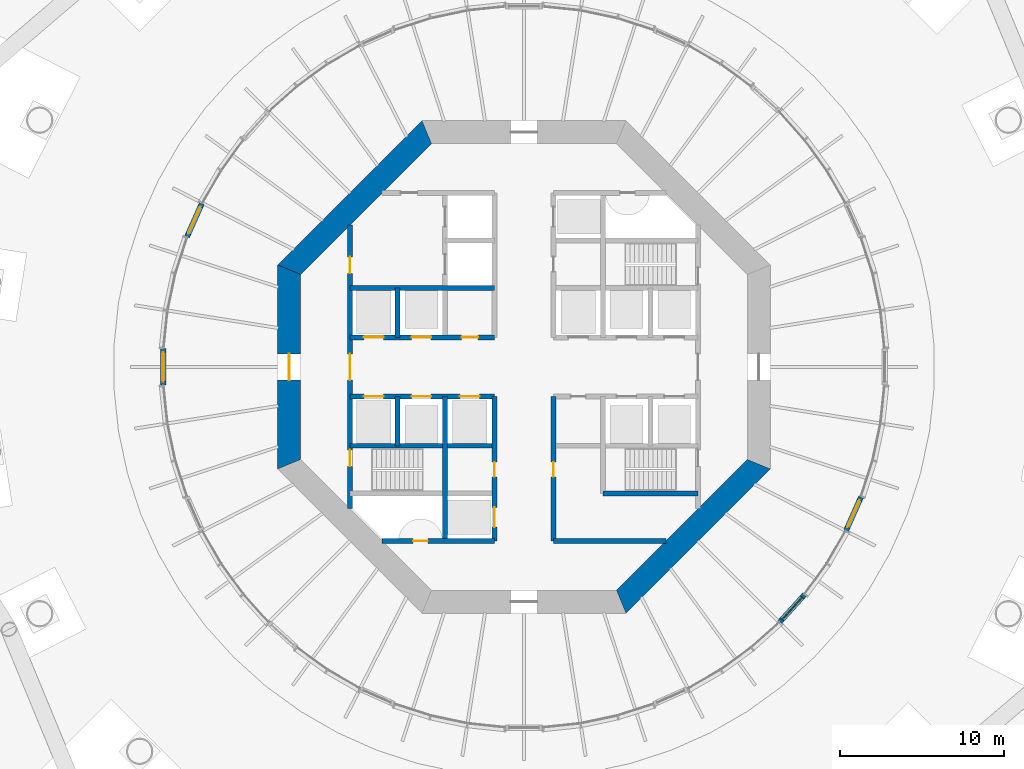
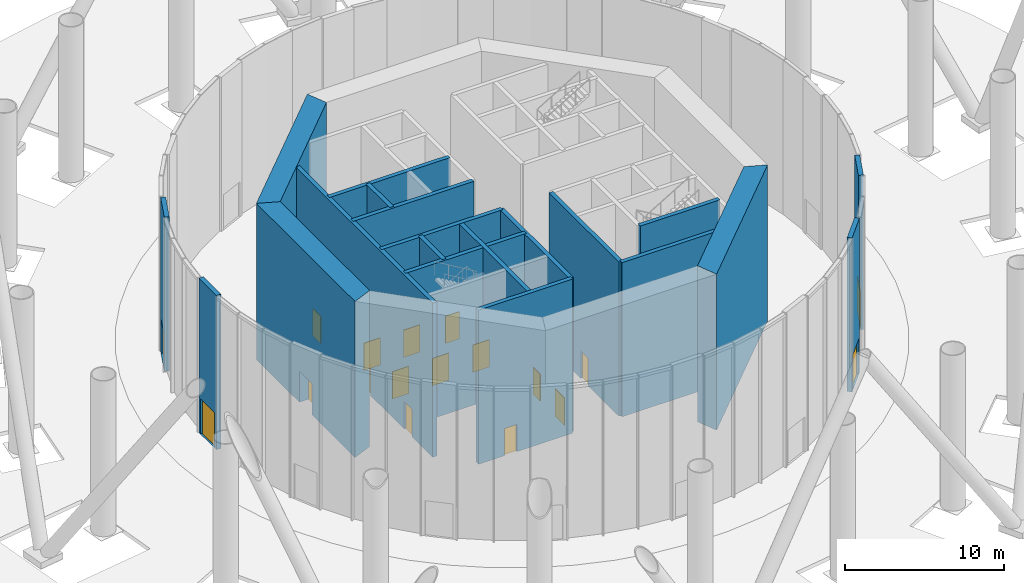
# One storey, part 4 of 12: 20 walls, 18 doors, 18 openings.
"""IFC4 building model written with IfcOpenShell, lengths in metres."""

from ifc_helpers import new_model, si_unit, direction, frame, frame_2d, origin, place, context, subcontext, project, spatial, polyline, rectangle, outline, extrude, material, layer, layer_set, type_object, element, fill, save


model = new_model("IFC4")

# Units and contexts
model_context = context("Model", 3, precision=1e-05, world=origin(), true_north=direction((0.0, 1.0)))
body_context = subcontext(model_context, "Body", "Model", "MODEL_VIEW")
ifc_project = project(units=[si_unit("LENGTHUNIT", "METRE"), si_unit("AREAUNIT", "SQUARE_METRE"), si_unit("VOLUMEUNIT", "CUBIC_METRE"), si_unit("PLANEANGLEUNIT", "RADIAN"), si_unit("MASSUNIT", "GRAM", prefix="KILO")], contexts=[model_context])

# Site, building, storey
site_placement = place(None, origin())
site = spatial("IfcSite", under=ifc_project, at=site_placement, CompositionType="ELEMENT")
building_placement = place(site_placement, origin())
building = spatial("IfcBuilding", under=site, at=building_placement, Name="Entoto Ring Tower", CompositionType="ELEMENT")
storey_placement = place(building_placement, origin())
storey = spatial("IfcBuildingStorey", under=building, at=storey_placement, Name="L00", CompositionType="ELEMENT", Elevation=0.0)

# Wall, opening, door
ifc_material_1 = material(Name="Concrete C40/50", Category="concrete")
ifc_layer_1 = layer(ifc_material_1, 0.300048828125)
ifc_layer_set_1 = layer_set([ifc_layer_1], Name="Concrete C40/50")
wall_type_1 = type_object("IfcWallType", Name="Core enclosure wall 300 mm reinforced concrete", PredefinedType="SOLIDWALL", material=ifc_layer_set_1)
wall_1_placement = place(storey_placement, frame((91.800048828125, 69.39990234375, 0.0), z_axis=(0.0, 0.0, 1.0), x_axis=(0.0, 1.0, 0.0)))
wall_1 = element("IfcWall", 1, at=wall_1_placement, inside=storey, type_object=wall_type_1, Name="wall-L00-006", PredefinedType="SOLIDWALL", context=body_context, shape_type="SweptSolid", body=[
    extrude(rectangle(XDim=8.800048828125, YDim=0.300048828125, at=frame_2d((4.39990234375, 0.0))), origin(), (0.0, 0.0, 1.0), 11.85009765625),
])
opening_1_placement = place(wall_1_placement, frame((3.89990234375, 0.0, 0.0)))
opening_1 = element("IfcOpeningElement", 2, at=opening_1_placement, cuts=wall_1, Name="Opening K-18", PredefinedType="OPENING", context=body_context, shape_type="SweptSolid", body=[
    extrude(rectangle(XDim=0.89990234375, YDim=2.10009765625, at=frame_2d((0.449951171875, 1.050048828125))), frame((0.0, 0.16015625, 0.0), z_axis=(0.0, -1.0, 0.0), x_axis=(1.0, 0.0, 0.0)), (0.0, 0.0, 1.0), 0.320068359375),
])
ifc_material_2 = material(Name="Steel door leaf, fire rated", Category="steel")
ifc_layer_2 = layer(ifc_material_2, 0.050048828125)
ifc_layer_set_2 = layer_set([ifc_layer_2], Name="Steel door leaf, fire rated")
door_type_1 = type_object("IfcDoorType", Name="Core door 900 x 2100 single leaf", OperationType="NOTDEFINED", PredefinedType="DOOR", material=ifc_layer_set_2)
door_1_placement = place(opening_1_placement, frame((0.89990234375, 0.0, 0.0), z_axis=(0.0, 0.0, 1.0), x_axis=(-1.0, 0.0, 0.0)))
door_1 = element("IfcDoor", 3, at=door_1_placement, inside=storey, type_object=door_type_1, Name="Door K-18", OperationType="SINGLE_SWING_LEFT", OverallHeight=2.10009765625, OverallWidth=0.89990234375, PredefinedType="DOOR", context=body_context, shape_type="SweptSolid", body=[
    extrude(rectangle(XDim=0.89990234375, YDim=2.10009765625, at=frame_2d((0.449951171875, 1.050048828125))), frame((0.0, 0.02490234375, 0.0), z_axis=(0.0, -1.0, 0.0), x_axis=(1.0, 0.0, 0.0)), (0.0, 0.0, 1.0), 0.050048828125),
])
fill(opening_1, door_1)

# Wall, openings, doors
wall_2_placement = place(storey_placement, frame((88.199951171875, 69.39990234375, 0.0), z_axis=(0.0, 0.0, 1.0), x_axis=(0.0, 1.0, 0.0)))
wall_2 = element("IfcWall", 4, at=wall_2_placement, inside=storey, type_object=wall_type_1, Name="wall-L00-008", PredefinedType="SOLIDWALL", context=body_context, shape_type="SweptSolid", body=[
    extrude(rectangle(XDim=8.800048828125, YDim=0.300048828125, at=frame_2d((4.39990234375, 0.0))), origin(), (0.0, 0.0, 1.0), 11.85009765625),
])
opening_2_placement = place(wall_2_placement, frame((0.85009765625, 0.0, 0.0)))
opening_2 = element("IfcOpeningElement", 5, at=opening_2_placement, cuts=wall_2, Name="Opening LD", PredefinedType="OPENING", context=body_context, shape_type="SweptSolid", body=[
    extrude(rectangle(XDim=1.199951171875, YDim=2.10009765625, at=frame_2d((0.60009765625, 1.050048828125))), frame((0.0, 0.16015625, 0.0), z_axis=(0.0, -1.0, 0.0), x_axis=(1.0, 0.0, 0.0)), (0.0, 0.0, 1.0), 0.320068359375),
])
opening_3_placement = place(wall_2_placement, frame((3.89990234375, 0.0, 0.0)))
opening_3 = element("IfcOpeningElement", 6, at=opening_3_placement, cuts=wall_2, Name="Opening K-19", PredefinedType="OPENING", context=body_context, shape_type="SweptSolid", body=[
    extrude(rectangle(XDim=0.89990234375, YDim=2.10009765625, at=frame_2d((0.449951171875, 1.050048828125))), frame((0.0, 0.16015625, 0.0), z_axis=(0.0, -1.0, 0.0), x_axis=(1.0, 0.0, 0.0)), (0.0, 0.0, 1.0), 0.320068359375),
])
door_2_placement = place(opening_3_placement, origin())
door_2 = element("IfcDoor", 7, at=door_2_placement, inside=storey, type_object=door_type_1, Name="Door K-19", OperationType="SINGLE_SWING_RIGHT", OverallHeight=2.10009765625, OverallWidth=0.89990234375, PredefinedType="DOOR", context=body_context, shape_type="SweptSolid", body=[
    extrude(rectangle(XDim=0.89990234375, YDim=2.10009765625, at=frame_2d((0.449951171875, 1.050048828125))), frame((0.0, 0.02490234375, 0.0), z_axis=(0.0, -1.0, 0.0), x_axis=(1.0, 0.0, 0.0)), (0.0, 0.0, 1.0), 0.050048828125),
])
fill(opening_3, door_2)
ifc_material_3 = material(Name="Steel and glass door leaf", Category="steel")
ifc_layer_3 = layer(ifc_material_3, 0.050048828125)
ifc_layer_set_3 = layer_set([ifc_layer_3], Name="Steel and glass door leaf")
door_type_2 = type_object("IfcDoorType", Name="Landing door 1200 x 2100 sliding", OperationType="DOUBLE_DOOR_SLIDING", PredefinedType="DOOR", material=ifc_layer_set_3)
door_3_placement = place(opening_2_placement, origin())
door_3 = element("IfcDoor", 8, at=door_3_placement, inside=storey, type_object=door_type_2, Name="Landing door SH4", OperationType="SLIDING_TO_RIGHT", OverallHeight=2.10009765625, OverallWidth=1.199951171875, PredefinedType="DOOR", context=body_context, shape_type="SweptSolid", body=[
    extrude(rectangle(XDim=1.199951171875, YDim=2.10009765625, at=frame_2d((0.60009765625, 1.050048828125))), frame((0.0, 0.02490234375, 0.0), z_axis=(0.0, -1.0, 0.0), x_axis=(1.0, 0.0, 0.0)), (0.0, 0.0, 1.0), 0.050048828125),
])
fill(opening_2, door_3)

# Walls
wall_3_placement = place(storey_placement, frame((85.199951171875, 69.39990234375, 0.0), z_axis=(0.0, 0.0, 1.0), x_axis=(0.0, 1.0, 0.0)))
element("IfcWall", 9, at=wall_3_placement, inside=storey, type_object=wall_type_1, Name="wall-L00-010", PredefinedType="SOLIDWALL", context=body_context, shape_type="SweptSolid", body=[
    extrude(rectangle(XDim=8.800048828125, YDim=0.300048828125, at=frame_2d((4.39990234375, 0.0))), origin(), (0.0, 0.0, 1.0), 11.85009765625),
])
for number, where, z_axis, x_axis, name in (
    (10, (82.300048828125, 75.199951171875, 0.0), (0.0, 0.0, 1.0), (0.0, 1.0, 0.0), "wall-L00-012"),
    (11, (82.300048828125, 81.800048828125, 0.0), (0.0, 0.0, 1.0), (0.0, 1.0, 0.0), "wall-L00-013"),
):
    element("IfcWall", number, at=place(storey_placement, frame(where, z_axis=z_axis, x_axis=x_axis)), inside=storey, type_object=wall_type_1, Name=name, PredefinedType="SOLIDWALL", context=body_context, shape_type="SweptSolid", body=[
        extrude(rectangle(XDim=3.0, YDim=0.300048828125, at=frame_2d((1.5, 0.0))), origin(), (0.0, 0.0, 1.0), 11.85009765625),
    ])

# Wall, openings, doors
wall_4_placement = place(storey_placement, frame((79.39990234375, 71.36669921875, 0.0), z_axis=(0.0, 0.0, 1.0), x_axis=(0.0, 1.0, 0.0)))
wall_4 = element("IfcWall", 12, at=wall_4_placement, inside=storey, type_object=wall_type_1, Name="wall-L00-014", PredefinedType="SOLIDWALL", context=body_context, shape_type="SweptSolid", body=[
    extrude(rectangle(XDim=17.2666015625, YDim=0.300048828125, at=frame_2d((8.63330078125, 0.0))), origin(), (0.0, 0.0, 1.0), 11.85009765625),
])
opening_4_placement = place(wall_4_placement, frame((2.583251953125, 0.0, 0.0)))
opening_4 = element("IfcOpeningElement", 13, at=opening_4_placement, cuts=wall_4, Name="Opening K-23", PredefinedType="OPENING", context=body_context, shape_type="SweptSolid", body=[
    extrude(rectangle(XDim=1.0, YDim=2.10009765625, at=frame_2d((0.5, 1.050048828125))), frame((0.0, 0.16015625, 0.0), z_axis=(0.0, -1.0, 0.0), x_axis=(1.0, 0.0, 0.0)), (0.0, 0.0, 1.0), 0.320068359375),
])
opening_5_placement = place(wall_4_placement, frame((14.333251953125, 0.0, 0.0)))
opening_5 = element("IfcOpeningElement", 14, at=opening_5_placement, cuts=wall_4, Name="Opening K-27", PredefinedType="OPENING", context=body_context, shape_type="SweptSolid", body=[
    extrude(rectangle(XDim=1.0, YDim=2.10009765625, at=frame_2d((0.5, 1.050048828125))), frame((0.0, 0.16015625, 0.0), z_axis=(0.0, -1.0, 0.0), x_axis=(1.0, 0.0, 0.0)), (0.0, 0.0, 1.0), 0.320068359375),
])
opening_6_placement = place(wall_4_placement, frame((7.833251953125, 0.0, 0.0)))
opening_6 = element("IfcOpeningElement", 15, at=opening_6_placement, cuts=wall_4, Name="Opening KV-02", PredefinedType="OPENING", context=body_context, shape_type="SweptSolid", body=[
    extrude(rectangle(XDim=1.60009765625, YDim=2.39990234375, at=frame_2d((0.800048828125, 1.199951171875))), frame((0.0, 0.16015625, 0.0), z_axis=(0.0, -1.0, 0.0), x_axis=(1.0, 0.0, 0.0)), (0.0, 0.0, 1.0), 0.320068359375),
])
ifc_material_4 = material(Name="Steel door leaf, fire rated", Category="steel")
ifc_layer_4 = layer(ifc_material_4, 0.050048828125)
ifc_layer_set_4 = layer_set([ifc_layer_4], Name="Steel door leaf, fire rated")
door_type_3 = type_object("IfcDoorType", Name="Entrance door FD60 1600 x 2400 double leaf", OperationType="DOUBLE_DOOR_SINGLE_SWING", PredefinedType="DOOR", material=ifc_layer_set_4)
door_4_placement = place(opening_6_placement, origin())
door_4 = element("IfcDoor", 16, at=door_4_placement, inside=storey, type_object=door_type_3, Name="Door KV-02", OperationType="DOUBLE_DOOR_SINGLE_SWING", OverallHeight=2.39990234375, OverallWidth=1.60009765625, PredefinedType="DOOR", context=body_context, shape_type="SweptSolid", body=[
    extrude(rectangle(XDim=1.60009765625, YDim=2.39990234375, at=frame_2d((0.800048828125, 1.199951171875))), frame((0.0, 0.02490234375, 0.0), z_axis=(0.0, -1.0, 0.0), x_axis=(1.0, 0.0, 0.0)), (0.0, 0.0, 1.0), 0.050048828125),
])
fill(opening_6, door_4)
ifc_material_5 = material(Name="Steel door leaf, fire rated", Category="steel")
ifc_layer_5 = layer(ifc_material_5, 0.050048828125)
ifc_layer_set_5 = layer_set([ifc_layer_5], Name="Steel door leaf, fire rated")
door_type_4 = type_object("IfcDoorType", Name="Fire door FD60 1000 x 2100 single leaf", OperationType="NOTDEFINED", PredefinedType="DOOR", material=ifc_layer_set_5)
door_5_placement = place(opening_4_placement, frame((1.0, 0.0, 0.0), z_axis=(0.0, 0.0, 1.0), x_axis=(-1.0, 0.0, 0.0)))
door_5 = element("IfcDoor", 17, at=door_5_placement, inside=storey, type_object=door_type_4, Name="Door K-23", OperationType="SINGLE_SWING_LEFT", OverallHeight=2.10009765625, OverallWidth=1.0, PredefinedType="DOOR", context=body_context, shape_type="SweptSolid", body=[
    extrude(rectangle(XDim=1.0, YDim=2.10009765625, at=frame_2d((0.5, 1.050048828125))), frame((0.0, 0.02490234375, 0.0), z_axis=(0.0, -1.0, 0.0), x_axis=(1.0, 0.0, 0.0)), (0.0, 0.0, 1.0), 0.050048828125),
])
fill(opening_4, door_5)
door_6_placement = place(opening_5_placement, origin())
door_6 = element("IfcDoor", 18, at=door_6_placement, inside=storey, type_object=door_type_4, Name="Door K-27", OperationType="SINGLE_SWING_RIGHT", OverallHeight=2.10009765625, OverallWidth=1.0, PredefinedType="DOOR", context=body_context, shape_type="SweptSolid", body=[
    extrude(rectangle(XDim=1.0, YDim=2.10009765625, at=frame_2d((0.5, 1.050048828125))), frame((0.0, 0.02490234375, 0.0), z_axis=(0.0, -1.0, 0.0), x_axis=(1.0, 0.0, 0.0)), (0.0, 0.0, 1.0), 0.050048828125),
])
fill(opening_5, door_6)

# Wall, opening, door
wall_5_placement = place(storey_placement, frame((81.36669921875, 69.39990234375, 0.0), z_axis=(0.0, 0.0, 1.0), x_axis=(1.0, 0.0, 0.0)))
wall_5 = element("IfcWall", 19, at=wall_5_placement, inside=storey, type_object=wall_type_1, Name="wall-L00-015", PredefinedType="SOLIDWALL", context=body_context, shape_type="SweptSolid", body=[
    extrude(rectangle(XDim=6.833251953125, YDim=0.300048828125, at=frame_2d((3.41650390625, 0.0))), origin(), (0.0, 0.0, 1.0), 11.85009765625),
])
opening_7_placement = place(wall_5_placement, frame((1.88330078125, 0.0, 0.0)))
opening_7 = element("IfcOpeningElement", 20, at=opening_7_placement, cuts=wall_5, Name="Opening K-78", PredefinedType="OPENING", context=body_context, shape_type="SweptSolid", body=[
    extrude(rectangle(XDim=0.89990234375, YDim=2.10009765625, at=frame_2d((0.449951171875, 1.050048828125))), frame((0.0, 0.16015625, 0.0), z_axis=(0.0, -1.0, 0.0), x_axis=(1.0, 0.0, 0.0)), (0.0, 0.0, 1.0), 0.320068359375),
])
ifc_material_6 = material(Name="Steel door leaf, fire rated", Category="steel")
ifc_layer_6 = layer(ifc_material_6, 0.050048828125)
ifc_layer_set_6 = layer_set([ifc_layer_6], Name="Steel door leaf, fire rated")
door_type_5 = type_object("IfcDoorType", Name="Riser door FD60 900 x 2100 single leaf", OperationType="NOTDEFINED", PredefinedType="DOOR", material=ifc_layer_set_6)
door_7_placement = place(opening_7_placement, origin())
door_7 = element("IfcDoor", 21, at=door_7_placement, inside=storey, type_object=door_type_5, Name="Door K-78", OperationType="SINGLE_SWING_RIGHT", OverallHeight=2.10009765625, OverallWidth=0.89990234375, PredefinedType="DOOR", context=body_context, shape_type="SweptSolid", body=[
    extrude(rectangle(XDim=0.89990234375, YDim=2.10009765625, at=frame_2d((0.449951171875, 1.050048828125))), frame((0.0, 0.02490234375, 0.0), z_axis=(0.0, -1.0, 0.0), x_axis=(1.0, 0.0, 0.0)), (0.0, 0.0, 1.0), 0.050048828125),
])
fill(opening_7, door_7)

# Walls
wall_6_placement = place(storey_placement, frame((91.800048828125, 69.39990234375, 0.0), z_axis=(0.0, 0.0, 1.0), x_axis=(1.0, 0.0, 0.0)))
element("IfcWall", 22, at=wall_6_placement, inside=storey, type_object=wall_type_1, Name="wall-L00-016", PredefinedType="SOLIDWALL", context=body_context, shape_type="SweptSolid", body=[
    extrude(rectangle(XDim=6.833251953125, YDim=0.300048828125, at=frame_2d((3.41650390625, 0.0))), origin(), (0.0, 0.0, 1.0), 11.85009765625),
])
wall_7_placement = place(storey_placement, frame((94.800048828125, 72.300048828125, 0.0), z_axis=(0.0, 0.0, 1.0), x_axis=(1.0, 0.0, 0.0)))
element("IfcWall", 23, at=wall_7_placement, inside=storey, type_object=wall_type_1, Name="wall-L00-018", PredefinedType="SOLIDWALL", context=body_context, shape_type="SweptSolid", body=[
    extrude(rectangle(XDim=5.800048828125, YDim=0.300048828125, at=frame_2d((2.89990234375, 0.0))), origin(), (0.0, 0.0, 1.0), 11.85009765625),
])
wall_8_placement = place(storey_placement, frame((79.39990234375, 75.199951171875, 0.0), z_axis=(0.0, 0.0, 1.0), x_axis=(1.0, 0.0, 0.0)))
element("IfcWall", 24, at=wall_8_placement, inside=storey, type_object=wall_type_1, Name="wall-L00-019", PredefinedType="SOLIDWALL", context=body_context, shape_type="SweptSolid", body=[
    extrude(rectangle(XDim=8.800048828125, YDim=0.300048828125, at=frame_2d((4.39990234375, 0.0))), origin(), (0.0, 0.0, 1.0), 11.85009765625),
])

# Wall, openings, doors
wall_9_placement = place(storey_placement, frame((79.39990234375, 78.199951171875, 0.0), z_axis=(0.0, 0.0, 1.0), x_axis=(1.0, 0.0, 0.0)))
wall_9 = element("IfcWall", 25, at=wall_9_placement, inside=storey, type_object=wall_type_1, Name="wall-L00-021", PredefinedType="SOLIDWALL", context=body_context, shape_type="SweptSolid", body=[
    extrude(rectangle(XDim=8.800048828125, YDim=0.300048828125, at=frame_2d((4.39990234375, 0.0))), origin(), (0.0, 0.0, 1.0), 11.85009765625),
])
opening_8_placement = place(wall_9_placement, frame((3.75, 0.0, 0.0)))
opening_8 = element("IfcOpeningElement", 26, at=opening_8_placement, cuts=wall_9, Name="Opening LD", PredefinedType="OPENING", context=body_context, shape_type="SweptSolid", body=[
    extrude(rectangle(XDim=1.199951171875, YDim=2.10009765625, at=frame_2d((0.60009765625, 1.050048828125))), frame((0.0, 0.16015625, 0.0), z_axis=(0.0, -1.0, 0.0), x_axis=(1.0, 0.0, 0.0)), (0.0, 0.0, 1.0), 0.320068359375),
])
opening_9_placement = place(wall_9_placement, frame((0.85009765625, 0.0, 0.0)))
opening_9 = element("IfcOpeningElement", 27, at=opening_9_placement, cuts=wall_9, Name="Opening LD", PredefinedType="OPENING", context=body_context, shape_type="SweptSolid", body=[
    extrude(rectangle(XDim=1.199951171875, YDim=2.10009765625, at=frame_2d((0.60009765625, 1.050048828125))), frame((0.0, 0.16015625, 0.0), z_axis=(0.0, -1.0, 0.0), x_axis=(1.0, 0.0, 0.0)), (0.0, 0.0, 1.0), 0.320068359375),
])
opening_10_placement = place(wall_9_placement, frame((6.699951171875, 0.0, 0.0)))
opening_10 = element("IfcOpeningElement", 28, at=opening_10_placement, cuts=wall_9, Name="Opening LD", PredefinedType="OPENING", context=body_context, shape_type="SweptSolid", body=[
    extrude(rectangle(XDim=1.199951171875, YDim=2.10009765625, at=frame_2d((0.60009765625, 1.050048828125))), frame((0.0, 0.16015625, 0.0), z_axis=(0.0, -1.0, 0.0), x_axis=(1.0, 0.0, 0.0)), (0.0, 0.0, 1.0), 0.320068359375),
])
door_8_placement = place(opening_8_placement, origin())
door_8 = element("IfcDoor", 29, at=door_8_placement, inside=storey, type_object=door_type_2, Name="Landing door LB6-LR", OperationType="SLIDING_TO_RIGHT", OverallHeight=2.10009765625, OverallWidth=1.199951171875, PredefinedType="DOOR", context=body_context, shape_type="SweptSolid", body=[
    extrude(rectangle(XDim=1.199951171875, YDim=2.10009765625, at=frame_2d((0.60009765625, 1.050048828125))), frame((0.0, 0.02490234375, 0.0), z_axis=(0.0, -1.0, 0.0), x_axis=(1.0, 0.0, 0.0)), (0.0, 0.0, 1.0), 0.050048828125),
])
fill(opening_8, door_8)
door_9_placement = place(opening_9_placement, origin())
door_9 = element("IfcDoor", 30, at=door_9_placement, inside=storey, type_object=door_type_2, Name="Landing door SH2", OperationType="SLIDING_TO_RIGHT", OverallHeight=2.10009765625, OverallWidth=1.199951171875, PredefinedType="DOOR", context=body_context, shape_type="SweptSolid", body=[
    extrude(rectangle(XDim=1.199951171875, YDim=2.10009765625, at=frame_2d((0.60009765625, 1.050048828125))), frame((0.0, 0.02490234375, 0.0), z_axis=(0.0, -1.0, 0.0), x_axis=(1.0, 0.0, 0.0)), (0.0, 0.0, 1.0), 0.050048828125),
])
fill(opening_9, door_9)
door_10_placement = place(opening_10_placement, origin())
door_10 = element("IfcDoor", 31, at=door_10_placement, inside=storey, type_object=door_type_2, Name="Landing door OB2", OperationType="SLIDING_TO_LEFT", OverallHeight=2.10009765625, OverallWidth=1.199951171875, PredefinedType="DOOR", context=body_context, shape_type="SweptSolid", body=[
    extrude(rectangle(XDim=1.199951171875, YDim=2.10009765625, at=frame_2d((0.60009765625, 1.050048828125))), frame((0.0, 0.02490234375, 0.0), z_axis=(0.0, -1.0, 0.0), x_axis=(1.0, 0.0, 0.0)), (0.0, 0.0, 1.0), 0.050048828125),
])
fill(opening_10, door_10)

wall_10_placement = place(storey_placement, frame((79.39990234375, 81.800048828125, 0.0), z_axis=(0.0, 0.0, 1.0), x_axis=(1.0, 0.0, 0.0)))
wall_10 = element("IfcWall", 32, at=wall_10_placement, inside=storey, type_object=wall_type_1, Name="wall-L00-023", PredefinedType="SOLIDWALL", context=body_context, shape_type="SweptSolid", body=[
    extrude(rectangle(XDim=8.800048828125, YDim=0.300048828125, at=frame_2d((4.39990234375, 0.0))), origin(), (0.0, 0.0, 1.0), 11.85009765625),
])
opening_11_placement = place(wall_10_placement, frame((3.75, 0.0, 0.0)))
opening_11 = element("IfcOpeningElement", 33, at=opening_11_placement, cuts=wall_10, Name="Opening LD", PredefinedType="OPENING", context=body_context, shape_type="SweptSolid", body=[
    extrude(rectangle(XDim=1.199951171875, YDim=2.10009765625, at=frame_2d((0.60009765625, 1.050048828125))), frame((0.0, 0.16015625, 0.0), z_axis=(0.0, -1.0, 0.0), x_axis=(1.0, 0.0, 0.0)), (0.0, 0.0, 1.0), 0.320068359375),
])
opening_12_placement = place(wall_10_placement, frame((0.85009765625, 0.0, 0.0)))
opening_12 = element("IfcOpeningElement", 34, at=opening_12_placement, cuts=wall_10, Name="Opening LD", PredefinedType="OPENING", context=body_context, shape_type="SweptSolid", body=[
    extrude(rectangle(XDim=1.199951171875, YDim=2.10009765625, at=frame_2d((0.60009765625, 1.050048828125))), frame((0.0, 0.16015625, 0.0), z_axis=(0.0, -1.0, 0.0), x_axis=(1.0, 0.0, 0.0)), (0.0, 0.0, 1.0), 0.320068359375),
])
opening_13_placement = place(wall_10_placement, frame((6.800048828125, 0.0, 0.0)))
opening_13 = element("IfcOpeningElement", 35, at=opening_13_placement, cuts=wall_10, Name="Opening K-64", PredefinedType="OPENING", context=body_context, shape_type="SweptSolid", body=[
    extrude(rectangle(XDim=1.0, YDim=2.10009765625, at=frame_2d((0.5, 1.050048828125))), frame((0.0, 0.16015625, 0.0), z_axis=(0.0, -1.0, 0.0), x_axis=(1.0, 0.0, 0.0)), (0.0, 0.0, 1.0), 0.320068359375),
])
ifc_material_7 = material(Name="Steel door leaf, fire rated", Category="steel")
ifc_layer_7 = layer(ifc_material_7, 0.050048828125)
ifc_layer_set_7 = layer_set([ifc_layer_7], Name="Steel door leaf, fire rated")
door_type_6 = type_object("IfcDoorType", Name="Accessible door 1000 x 2100 single leaf", OperationType="NOTDEFINED", PredefinedType="DOOR", material=ifc_layer_set_7)
door_11_placement = place(opening_13_placement, origin())
door_11 = element("IfcDoor", 36, at=door_11_placement, inside=storey, type_object=door_type_6, Name="Door K-64", OperationType="SINGLE_SWING_LEFT", OverallHeight=2.10009765625, OverallWidth=1.0, PredefinedType="DOOR", context=body_context, shape_type="SweptSolid", body=[
    extrude(rectangle(XDim=1.0, YDim=2.10009765625, at=frame_2d((0.5, 1.050048828125))), frame((0.0, 0.02490234375, 0.0), z_axis=(0.0, -1.0, 0.0), x_axis=(1.0, 0.0, 0.0)), (0.0, 0.0, 1.0), 0.050048828125),
])
fill(opening_13, door_11)
door_12_placement = place(opening_11_placement, origin())
door_12 = element("IfcDoor", 37, at=door_12_placement, inside=storey, type_object=door_type_2, Name="Landing door LB3-LR", OperationType="SLIDING_TO_RIGHT", OverallHeight=2.10009765625, OverallWidth=1.199951171875, PredefinedType="DOOR", context=body_context, shape_type="SweptSolid", body=[
    extrude(rectangle(XDim=1.199951171875, YDim=2.10009765625, at=frame_2d((0.60009765625, 1.050048828125))), frame((0.0, 0.02490234375, 0.0), z_axis=(0.0, -1.0, 0.0), x_axis=(1.0, 0.0, 0.0)), (0.0, 0.0, 1.0), 0.050048828125),
])
fill(opening_11, door_12)
door_13_placement = place(opening_12_placement, origin())
door_13 = element("IfcDoor", 38, at=door_13_placement, inside=storey, type_object=door_type_2, Name="Landing door SH1", OperationType="SLIDING_TO_RIGHT", OverallHeight=2.10009765625, OverallWidth=1.199951171875, PredefinedType="DOOR", context=body_context, shape_type="SweptSolid", body=[
    extrude(rectangle(XDim=1.199951171875, YDim=2.10009765625, at=frame_2d((0.60009765625, 1.050048828125))), frame((0.0, 0.02490234375, 0.0), z_axis=(0.0, -1.0, 0.0), x_axis=(1.0, 0.0, 0.0)), (0.0, 0.0, 1.0), 0.050048828125),
])
fill(opening_12, door_13)

# Walls
wall_11_placement = place(storey_placement, frame((79.39990234375, 84.800048828125, 0.0), z_axis=(0.0, 0.0, 1.0), x_axis=(1.0, 0.0, 0.0)))
element("IfcWall", 39, at=wall_11_placement, inside=storey, type_object=wall_type_1, Name="wall-L00-025", PredefinedType="SOLIDWALL", context=body_context, shape_type="SweptSolid", body=[
    extrude(rectangle(XDim=8.800048828125, YDim=0.300048828125, at=frame_2d((4.39990234375, 0.0))), origin(), (0.0, 0.0, 1.0), 11.85009765625),
])
ifc_material_8 = material(Name="Concrete C60/75", Category="concrete")
ifc_layer_8 = layer(ifc_material_8, 1.39990234375)
ifc_layer_set_8 = layer_set([ifc_layer_8], Name="Concrete C60/75")
wall_type_2 = type_object("IfcWallType", Name="Core shear wall 1400 mm reinforced concrete C60/75", PredefinedType="SHEAR", material=ifc_layer_set_8)
wall_12_placement = place(storey_placement, frame((84.07666015625, 94.300048828125, 0.0), z_axis=(0.0, 0.0, 1.0), x_axis=(-0.707106781187, -0.707106781187, 0.0)))
element("IfcWall", 40, at=wall_12_placement, inside=storey, type_object=wall_type_2, Name="wall-L00-core-3", PredefinedType="SHEAR", context=body_context, shape_type="SweptSolid", body=[
    extrude(outline(polyline([(-0.2900390625, -0.699951171875), (12.136474609375, -0.699951171875), (11.556396484375, 0.699951171875), (0.2900390625, 0.699951171875), (-0.2900390625, -0.699951171875)])), origin(), (0.0, 0.0, 1.0), 12.0),
])

# Wall, opening, door
wall_13_placement = place(storey_placement, frame((75.699951171875, 85.92333984375, 0.0), z_axis=(0.0, 0.0, 1.0), x_axis=(0.0, -1.0, 0.0)))
wall_13 = element("IfcWall", 41, at=wall_13_placement, inside=storey, type_object=wall_type_2, Name="wall-L00-core-4", PredefinedType="SHEAR", context=body_context, shape_type="SweptSolid", body=[
    extrude(outline(polyline([(-0.2900390625, -0.699951171875), (12.13671875, -0.699951171875), (11.556640625, 0.699951171875), (0.2900390625, 0.699951171875), (-0.2900390625, -0.699951171875)])), origin(), (0.0, 0.0, 1.0), 12.0),
])
opening_14_placement = place(wall_13_placement, frame((5.123291015625, 0.0, 0.0)))
opening_14 = element("IfcOpeningElement", 42, at=opening_14_placement, cuts=wall_13, Name="Opening K-03", PredefinedType="OPENING", context=body_context, shape_type="SweptSolid", body=[
    extrude(rectangle(XDim=1.60009765625, YDim=2.39990234375, at=frame_2d((0.800048828125, 1.199951171875))), frame((0.0, 0.7099609375, 0.0), z_axis=(0.0, -1.0, 0.0), x_axis=(1.0, 0.0, 0.0)), (0.0, 0.0, 1.0), 1.419921875),
])
door_14_placement = place(opening_14_placement, frame((1.60009765625, 0.0, 0.0), z_axis=(0.0, 0.0, 1.0), x_axis=(-1.0, 0.0, 0.0)))
door_14 = element("IfcDoor", 43, at=door_14_placement, inside=storey, type_object=door_type_3, Name="Entrance door K-03", OperationType="DOUBLE_DOOR_SINGLE_SWING", OverallHeight=2.39990234375, OverallWidth=1.60009765625, PredefinedType="DOOR", context=body_context, shape_type="SweptSolid", body=[
    extrude(rectangle(XDim=1.60009765625, YDim=2.39990234375, at=frame_2d((0.800048828125, 1.199951171875))), frame((0.0, 0.02490234375, 0.0), z_axis=(0.0, -1.0, 0.0), x_axis=(1.0, 0.0, 0.0)), (0.0, 0.0, 1.0), 0.050048828125),
])
fill(opening_14, door_14)

# Wall
wall_14_placement = place(storey_placement, frame((95.92333984375, 65.699951171875, 0.0), z_axis=(0.0, 0.0, 1.0), x_axis=(0.707106781187, 0.707106781187, 0.0)))
element("IfcWall", 44, at=wall_14_placement, inside=storey, type_object=wall_type_2, Name="wall-L00-core-7", PredefinedType="SHEAR", context=body_context, shape_type="SweptSolid", body=[
    extrude(outline(polyline([(-0.2900390625, -0.699951171875), (12.136474609375, -0.699951171875), (11.556396484375, 0.699951171875), (0.2900390625, 0.699951171875), (-0.2900390625, -0.699951171875)])), origin(), (0.0, 0.0, 1.0), 12.0),
])

# Wall, opening, door
ifc_material_9 = material(Name="Trachyte stone cladding", Category="masonry")
ifc_layer_9 = layer(ifc_material_9, 0.06005859375)
ifc_material_10 = material(Name="Concrete C40/50", Category="concrete")
ifc_layer_10 = layer(ifc_material_10, 0.260009765625)
ifc_layer_set_9 = layer_set([ifc_layer_9, ifc_layer_10], Name="Trachyte stone cladding")
wall_type_3 = type_object("IfcWallType", Name="Entrance pier 320 mm trachyte-clad", PredefinedType="STANDARD", material=ifc_layer_set_9)
wall_15_placement = place(storey_placement, frame((70.381591796875, 89.951171875, 0.0), z_axis=(0.0, 0.0, 1.0), x_axis=(-0.406739670382, -0.913544109793, 0.0)))
wall_15 = element("IfcWall", 45, at=wall_15_placement, inside=storey, type_object=wall_type_3, Name="ENTRANCE PIER 7", PredefinedType="STANDARD", context=body_context, shape_type="SweptSolid", body=[
    extrude(rectangle(XDim=2.22265625, YDim=0.320068359375, at=frame_2d((1.111328125, 0.0))), origin(), (0.0, 0.0, 1.0), 11.85009765625),
])
opening_15_placement = place(wall_15_placement, frame((0.21142578125, 0.0, 0.0)))
opening_15 = element("IfcOpeningElement", 46, at=opening_15_placement, cuts=wall_15, Name="Opening E7", PredefinedType="OPENING", context=body_context, shape_type="SweptSolid", body=[
    extrude(rectangle(XDim=1.800048828125, YDim=2.699951171875, at=frame_2d((0.89990234375, 1.35009765625))), frame((0.0, 0.169921875, 0.0), z_axis=(0.0, -1.0, 0.0), x_axis=(1.0, 0.0, 0.0)), (0.0, 0.0, 1.0), 0.340087890625),
])
ifc_material_11 = material(Name="Anodised aluminium frame with toughened clear glass", Category="aluminium")
door_type_7 = type_object("IfcDoorType", Name="Entrance door set 1800 x 2700 mm sliding", OperationType="DOUBLE_DOOR_SLIDING", PredefinedType="DOOR", material=ifc_material_11)
door_15_placement = place(opening_15_placement, frame((1.800048828125, 0.0, 0.0), z_axis=(0.0, 0.0, 1.0), x_axis=(-1.0, 0.0, 0.0)))
door_15 = element("IfcDoor", 47, at=door_15_placement, inside=storey, type_object=door_type_7, Name="ENTRANCE DOOR 7", OperationType="DOUBLE_DOOR_SLIDING", OverallHeight=2.699951171875, OverallWidth=1.800048828125, PredefinedType="DOOR", context=body_context, shape_type="SweptSolid", body=[
    extrude(rectangle(XDim=1.800048828125, YDim=2.699951171875, at=frame_2d((0.89990234375, 1.35009765625))), frame((0.0, 0.02490234375, 0.0), z_axis=(0.0, -1.0, 0.0), x_axis=(1.0, 0.0, 0.0)), (0.0, 0.0, 1.0), 0.050048828125),
])
fill(opening_15, door_15)

wall_16_placement = place(storey_placement, frame((68.030029296875, 81.111328125, 0.0), z_axis=(0.0, 0.0, 1.0), x_axis=(0.0, -1.0, 0.0)))
wall_16 = element("IfcWall", 48, at=wall_16_placement, inside=storey, type_object=wall_type_3, Name="ENTRANCE PIER 8", PredefinedType="STANDARD", context=body_context, shape_type="SweptSolid", body=[
    extrude(rectangle(XDim=2.22265625, YDim=0.320068359375, at=frame_2d((1.111328125, 0.0))), origin(), (0.0, 0.0, 1.0), 11.85009765625),
])
opening_16_placement = place(wall_16_placement, frame((0.21142578125, 0.0, 0.0)))
opening_16 = element("IfcOpeningElement", 49, at=opening_16_placement, cuts=wall_16, Name="Opening E8", PredefinedType="OPENING", context=body_context, shape_type="SweptSolid", body=[
    extrude(rectangle(XDim=1.800048828125, YDim=2.699951171875, at=frame_2d((0.89990234375, 1.35009765625))), frame((0.0, 0.169921875, 0.0), z_axis=(0.0, -1.0, 0.0), x_axis=(1.0, 0.0, 0.0)), (0.0, 0.0, 1.0), 0.340087890625),
])
door_16_placement = place(opening_16_placement, frame((1.800048828125, 0.0, 0.0), z_axis=(0.0, 0.0, 1.0), x_axis=(-1.0, 0.0, 0.0)))
door_16 = element("IfcDoor", 50, at=door_16_placement, inside=storey, type_object=door_type_7, Name="ENTRANCE DOOR 8", OperationType="DOUBLE_DOOR_SLIDING", OverallHeight=2.699951171875, OverallWidth=1.800048828125, PredefinedType="DOOR", context=body_context, shape_type="SweptSolid", body=[
    extrude(rectangle(XDim=1.800048828125, YDim=2.699951171875, at=frame_2d((0.89990234375, 1.35009765625))), frame((0.0, 0.02490234375, 0.0), z_axis=(0.0, -1.0, 0.0), x_axis=(1.0, 0.0, 0.0)), (0.0, 0.0, 1.0), 0.050048828125),
])
fill(opening_16, door_16)

wall_17_placement = place(storey_placement, frame((105.5830078125, 64.473388671875, 0.0), z_axis=(0.0, 0.0, 1.0), x_axis=(0.669183145537, 0.743097515625, 0.0)))
wall_17 = element("IfcWall", 51, at=wall_17_placement, inside=storey, type_object=wall_type_3, Name="ENTRANCE PIER 14", PredefinedType="STANDARD", context=body_context, shape_type="SweptSolid", body=[
    extrude(rectangle(XDim=2.222900390625, YDim=0.320068359375, at=frame_2d((1.111328125, 0.0))), origin(), (0.0, 0.0, 1.0), 11.85009765625),
])
opening_17_placement = place(wall_17_placement, frame((0.21142578125, 0.0, 0.0)))
opening_17 = element("IfcOpeningElement", 52, at=opening_17_placement, cuts=wall_17, Name="Opening E14", PredefinedType="OPENING", context=body_context, shape_type="SweptSolid", body=[
    extrude(rectangle(XDim=1.800048828125, YDim=2.699951171875, at=frame_2d((0.89990234375, 1.35009765625))), frame((0.0, 0.169921875, 0.0), z_axis=(0.0, -1.0, 0.0), x_axis=(1.0, 0.0, 0.0)), (0.0, 0.0, 1.0), 0.340087890625),
])
door_17_placement = place(opening_17_placement, frame((1.800048828125, 0.0, 0.0), z_axis=(0.0, 0.0, 1.0), x_axis=(-1.0, 0.0, 0.0)))
door_17 = element("IfcDoor", 53, at=door_17_placement, inside=storey, type_object=door_type_7, Name="ENTRANCE DOOR 14", OperationType="DOUBLE_DOOR_SLIDING", OverallHeight=2.699951171875, OverallWidth=1.800048828125, PredefinedType="DOOR", context=body_context, shape_type="SweptSolid", body=[
    extrude(rectangle(XDim=1.800048828125, YDim=2.699951171875, at=frame_2d((0.89990234375, 1.35009765625))), frame((0.0, 0.02490234375, 0.0), z_axis=(0.0, -1.0, 0.0), x_axis=(1.0, 0.0, 0.0)), (0.0, 0.0, 1.0), 0.050048828125),
])
fill(opening_17, door_17)

wall_18_placement = place(storey_placement, frame((109.618408203125, 70.048828125, 0.0), z_axis=(0.0, 0.0, 1.0), x_axis=(0.406739670382, 0.913544109793, 0.0)))
wall_18 = element("IfcWall", 54, at=wall_18_placement, inside=storey, type_object=wall_type_3, Name="ENTRANCE PIER 15", PredefinedType="STANDARD", context=body_context, shape_type="SweptSolid", body=[
    extrude(rectangle(XDim=2.22265625, YDim=0.320068359375, at=frame_2d((1.111328125, 0.0))), origin(), (0.0, 0.0, 1.0), 11.85009765625),
])
opening_18_placement = place(wall_18_placement, frame((0.21142578125, 0.0, 0.0)))
opening_18 = element("IfcOpeningElement", 55, at=opening_18_placement, cuts=wall_18, Name="Opening E15", PredefinedType="OPENING", context=body_context, shape_type="SweptSolid", body=[
    extrude(rectangle(XDim=1.800048828125, YDim=2.699951171875, at=frame_2d((0.89990234375, 1.35009765625))), frame((0.0, 0.169921875, 0.0), z_axis=(0.0, -1.0, 0.0), x_axis=(1.0, 0.0, 0.0)), (0.0, 0.0, 1.0), 0.340087890625),
])
door_18_placement = place(opening_18_placement, frame((1.800048828125, 0.0, 0.0), z_axis=(0.0, 0.0, 1.0), x_axis=(-1.0, 0.0, 0.0)))
door_18 = element("IfcDoor", 56, at=door_18_placement, inside=storey, type_object=door_type_7, Name="ENTRANCE DOOR 15", OperationType="DOUBLE_DOOR_SLIDING", OverallHeight=2.699951171875, OverallWidth=1.800048828125, PredefinedType="DOOR", context=body_context, shape_type="SweptSolid", body=[
    extrude(rectangle(XDim=1.800048828125, YDim=2.699951171875, at=frame_2d((0.89990234375, 1.35009765625))), frame((0.0, 0.02490234375, 0.0), z_axis=(0.0, -1.0, 0.0), x_axis=(1.0, 0.0, 0.0)), (0.0, 0.0, 1.0), 0.050048828125),
])
fill(opening_18, door_18)

save(model, "model.ifc")
